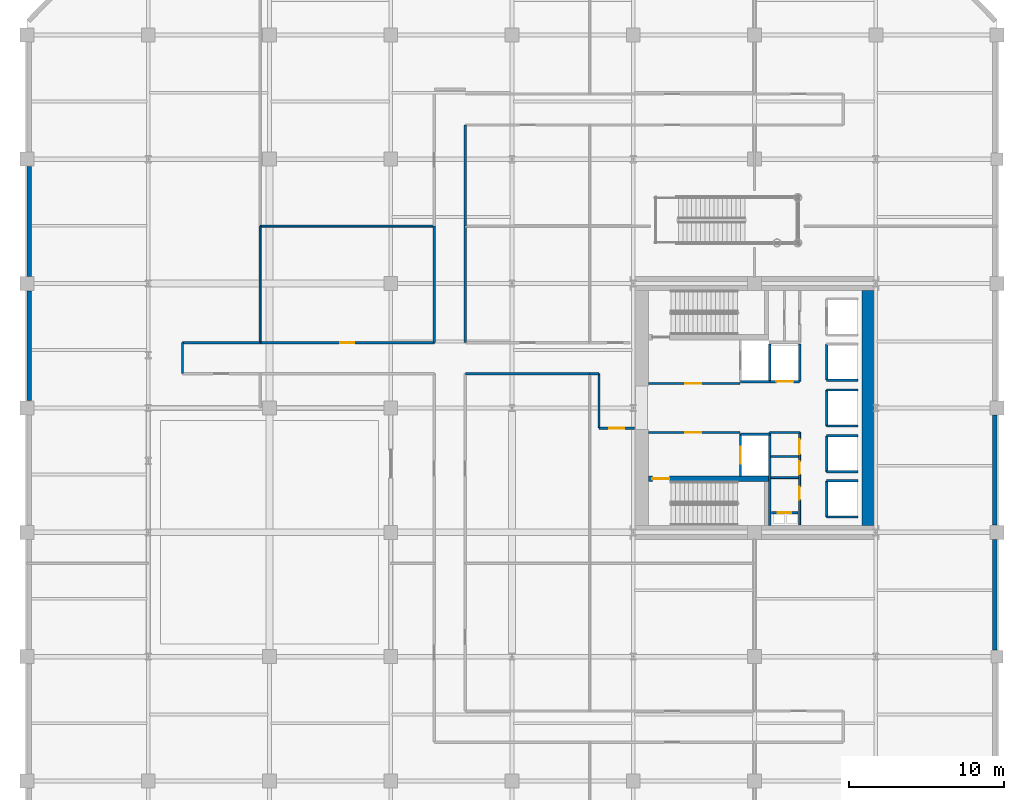
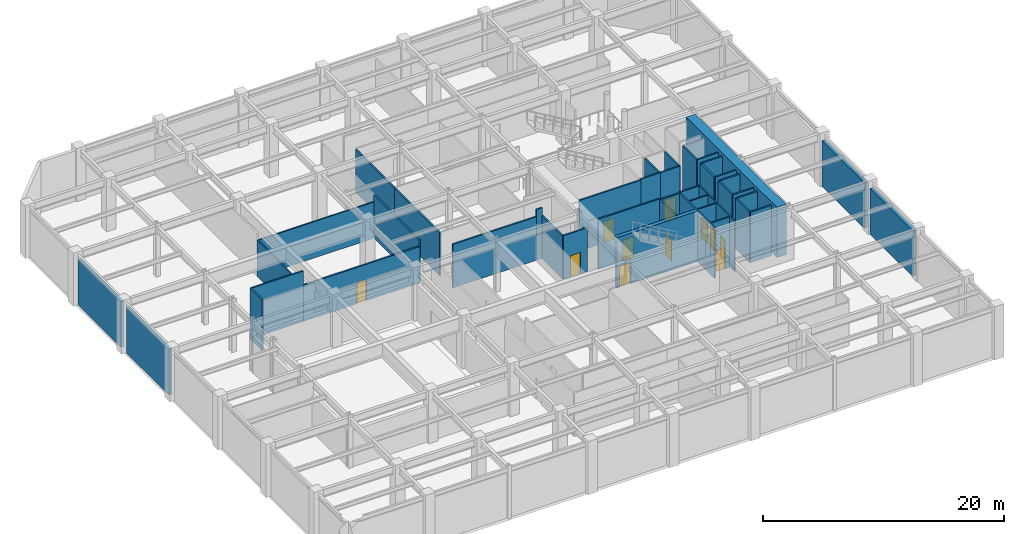
# One storey, part 8 of 11: 43 walls, 11 doors, 11 openings.
"""IFC4 building model written with IfcOpenShell, lengths in metres."""

from ifc_helpers import new_model, si_unit, direction, frame, frame_2d, origin, place, context, subcontext, project, spatial, rectangle, extrude, material, layer, layer_set, type_object, element, fill, save


model = new_model("IFC4")

# Units and contexts
model_context = context("Model", 3, precision=1e-05, world=origin(), true_north=direction((0.0, 1.0)))
body_context = subcontext(model_context, "Body", "Model", "MODEL_VIEW")
ifc_project = project(units=[si_unit("LENGTHUNIT", "METRE"), si_unit("AREAUNIT", "SQUARE_METRE"), si_unit("VOLUMEUNIT", "CUBIC_METRE"), si_unit("PLANEANGLEUNIT", "RADIAN"), si_unit("MASSUNIT", "GRAM", prefix="KILO")], contexts=[model_context])

# Site, building, storey
site_placement = place(None, origin())
site = spatial("IfcSite", under=ifc_project, at=site_placement, CompositionType="ELEMENT")
building_placement = place(site_placement, origin())
building = spatial("IfcBuilding", under=site, at=building_placement, Name="Veymaron Broadcast Tower", CompositionType="ELEMENT")
storey_placement = place(building_placement, frame((0.0, 0.0, 16.199951171875)))
storey = spatial("IfcBuildingStorey", under=building, at=storey_placement, Name="L03", CompositionType="ELEMENT", Elevation=16.199951171875)

# Walls
ifc_material_1 = material(Name="Precast concrete C40/50 with mineral-wool insulation", Category="concrete")
ifc_layer_1 = layer(ifc_material_1, 0.300048828125)
ifc_layer_set_1 = layer_set([ifc_layer_1], Name="Precast concrete C40/50 with mineral-wool insulation")
wall_type_1 = type_object("IfcWallType", Name="WALL-EXT-300", PredefinedType="STANDARD", material=ifc_layer_set_1)
wall_1_placement = place(storey_placement, frame((62.260009765625, 8.41796875, 0.0), z_axis=(0.0, 0.0, 1.0), x_axis=(0.0, 1.0, 0.0)))
element("IfcWall", 1, at=wall_1_placement, inside=storey, type_object=wall_type_1, Name="L03 notched corner facade pier 2-3", PredefinedType="STANDARD", context=body_context, shape_type="SweptSolid", body=[
    extrude(rectangle(XDim=7.114013671875, YDim=0.300048828125, at=frame_2d((3.55712890625, 0.0))), origin(), (0.0, 0.0, 1.0), 4.64794921875),
])
for number, where, z_axis, x_axis, name in (
    (2, (62.260009765625, 16.468017578125, 0.0), (0.0, 0.0, 1.0), (0.0, 1.0, 0.0), "L03 notched corner facade pier 2-4"),
    (3, (0.139892578125, 39.531982421875, 0.0), (0.0, 0.0, 1.0), (0.0, -1.0, 0.0), "L03 notched corner facade pier 6-2"),
    (4, (0.139892578125, 31.531982421875, 0.0), (0.0, 0.0, 1.0), (0.0, -1.0, 0.0), "L03 notched corner facade pier 6-3"),
):
    element("IfcWall", number, at=place(storey_placement, frame(where, z_axis=z_axis, x_axis=x_axis)), inside=storey, type_object=wall_type_1, Name=name, PredefinedType="STANDARD", context=body_context, shape_type="SweptSolid", body=[
        extrude(rectangle(XDim=7.06396484375, YDim=0.300048828125, at=frame_2d((3.531982421875, 0.0))), origin(), (0.0, 0.0, 1.0), 4.64794921875),
    ])

# Wall, opening, door
ifc_material_2 = material(Name="Gypsum fireboard and steel stud framing", Category="steel")
ifc_layer_2 = layer(ifc_material_2, 0.14990234375)
ifc_layer_set_2 = layer_set([ifc_layer_2], Name="Gypsum fireboard and steel stud framing")
wall_type_2 = type_object("IfcWallType", Name="WALL-FIRE-150", PredefinedType="PARTITIONING", material=ifc_layer_set_2)
wall_2_placement = place(storey_placement, frame((39.97998046875, 25.574951171875, 0.0), z_axis=(0.0, 0.0, 1.0), x_axis=(1.0, 0.0, 0.0)))
wall_2 = element("IfcWall", 5, at=wall_2_placement, inside=storey, type_object=wall_type_2, Name="L03 partition IW-L03-FFLN-S", PredefinedType="PARTITIONING", context=body_context, shape_type="SweptSolid", body=[
    extrude(rectangle(XDim=5.89990234375, YDim=0.14990234375, at=frame_2d((2.949951171875, 0.0))), origin(), (0.0, 0.0, 1.0), 5.1201171875),
])
opening_1_placement = place(wall_2_placement, frame((2.35009765625, 0.0, 0.0)))
opening_1 = element("IfcOpeningElement", 6, at=opening_1_placement, cuts=wall_2, Name="Opening ID-FL1", PredefinedType="OPENING", context=body_context, shape_type="SweptSolid", body=[
    extrude(rectangle(XDim=1.050048828125, YDim=2.14990234375, at=frame_2d((0.52490234375, 1.074951171875))), frame((0.0, 0.0849609375, 0.0), z_axis=(0.0, -1.0, 0.0), x_axis=(1.0, 0.0, 0.0)), (0.0, 0.0, 1.0), 0.169921875),
])
ifc_material_3 = material(Name="Fire-rated painted hollow steel ASTM A653", Category="steel")
door_type_1 = type_object("IfcDoorType", Name="DOOR-FIRE-1050", OperationType="NOTDEFINED", PredefinedType="DOOR", material=ifc_material_3)
door_1_placement = place(opening_1_placement, origin())
door_1 = element("IfcDoor", 7, at=door_1_placement, inside=storey, type_object=door_type_1, Name="L03 door DR-L03-FFLN", OperationType="SINGLE_SWING_LEFT", OverallHeight=2.14990234375, OverallWidth=1.050048828125, PredefinedType="DOOR", context=body_context, shape_type="SweptSolid", body=[
    extrude(rectangle(XDim=1.050048828125, YDim=2.14990234375, at=frame_2d((0.52490234375, 1.074951171875))), frame((0.0, 0.02490234375, 0.0), z_axis=(0.0, -1.0, 0.0), x_axis=(1.0, 0.0, 0.0)), (0.0, 0.0, 1.0), 0.050048828125),
])
fill(opening_1, door_1)

wall_3_placement = place(storey_placement, frame((39.97998046875, 22.425048828125, 0.0), z_axis=(0.0, 0.0, 1.0), x_axis=(1.0, 0.0, 0.0)))
wall_3 = element("IfcWall", 8, at=wall_3_placement, inside=storey, type_object=wall_type_2, Name="L03 partition IW-L03-FFLS-N", PredefinedType="PARTITIONING", context=body_context, shape_type="SweptSolid", body=[
    extrude(rectangle(XDim=5.89990234375, YDim=0.14990234375, at=frame_2d((2.949951171875, 0.0))), origin(), (0.0, 0.0, 1.0), 5.1201171875),
])
opening_2_placement = place(wall_3_placement, frame((2.35009765625, 0.0, 0.0)))
opening_2 = element("IfcOpeningElement", 9, at=opening_2_placement, cuts=wall_3, Name="Opening ID-FL1", PredefinedType="OPENING", context=body_context, shape_type="SweptSolid", body=[
    extrude(rectangle(XDim=1.050048828125, YDim=2.14990234375, at=frame_2d((0.52490234375, 1.074951171875))), frame((0.0, 0.0849609375, 0.0), z_axis=(0.0, -1.0, 0.0), x_axis=(1.0, 0.0, 0.0)), (0.0, 0.0, 1.0), 0.169921875),
])
door_2_placement = place(opening_2_placement, frame((1.050048828125, 0.0, 0.0), z_axis=(0.0, 0.0, 1.0), x_axis=(-1.0, 0.0, 0.0)))
door_2 = element("IfcDoor", 10, at=door_2_placement, inside=storey, type_object=door_type_1, Name="L03 door DR-L03-FFLS", OperationType="SINGLE_SWING_RIGHT", OverallHeight=2.14990234375, OverallWidth=1.050048828125, PredefinedType="DOOR", context=body_context, shape_type="SweptSolid", body=[
    extrude(rectangle(XDim=1.050048828125, YDim=2.14990234375, at=frame_2d((0.52490234375, 1.074951171875))), frame((0.0, 0.02490234375, 0.0), z_axis=(0.0, -1.0, 0.0), x_axis=(1.0, 0.0, 0.0)), (0.0, 0.0, 1.0), 0.050048828125),
])
fill(opening_2, door_2)

# Wall
wall_4_placement = place(storey_placement, frame((45.89501953125, 25.68994140625, 0.0), z_axis=(0.0, 0.0, 1.0), x_axis=(1.0, 0.0, 0.0)))
element("IfcWall", 11, at=wall_4_placement, inside=storey, type_object=wall_type_2, Name="L03 partition IW-L03-SHS-FFL-1", PredefinedType="PARTITIONING", context=body_context, shape_type="SweptSolid", body=[
    extrude(rectangle(XDim=1.9150390625, YDim=0.14990234375, at=frame_2d((0.95751953125, 0.0))), origin(), (0.0, 0.0, 1.0), 5.1201171875),
])

# Wall, opening, door
wall_5_placement = place(storey_placement, frame((45.89501953125, 19.590087890625, 0.0), z_axis=(0.0, 0.0, 1.0), x_axis=(0.0, 1.0, 0.0)))
wall_5 = element("IfcWall", 12, at=wall_5_placement, inside=storey, type_object=wall_type_2, Name="L03 partition IW-L03-SHW-FFL-2", PredefinedType="PARTITIONING", context=body_context, shape_type="SweptSolid", body=[
    extrude(rectangle(XDim=2.719970703125, YDim=0.14990234375, at=frame_2d((1.35986328125, 0.0))), origin(), (0.0, 0.0, 1.0), 5.1201171875),
])
opening_3_placement = place(wall_5_placement, frame((0.81005859375, 0.0, 0.0)))
opening_3 = element("IfcOpeningElement", 13, at=opening_3_placement, cuts=wall_5, Name="Opening LD", PredefinedType="OPENING", context=body_context, shape_type="SweptSolid", body=[
    extrude(rectangle(XDim=1.10009765625, YDim=2.14990234375, at=frame_2d((0.550048828125, 1.074951171875))), frame((0.0, 0.0849609375, 0.0), z_axis=(0.0, -1.0, 0.0), x_axis=(1.0, 0.0, 0.0)), (0.0, 0.0, 1.0), 0.169921875),
])
ifc_material_4 = material(Name="Brushed stainless steel AISI 304", Category="steel")
door_type_2 = type_object("IfcDoorType", Name="DOOR-LIFT-1100", OperationType="DOUBLE_DOOR_SLIDING", PredefinedType="DOOR", material=ifc_material_4)
door_3_placement = place(opening_3_placement, frame((1.10009765625, 0.0, 0.0), z_axis=(0.0, 0.0, 1.0), x_axis=(-1.0, 0.0, 0.0)))
door_3 = element("IfcDoor", 14, at=door_3_placement, inside=storey, type_object=door_type_2, Name="L03 door LD-L03-FFL-2", OperationType="DOUBLE_DOOR_SLIDING", OverallHeight=2.14990234375, OverallWidth=1.10009765625, PredefinedType="DOOR", context=body_context, shape_type="SweptSolid", body=[
    extrude(rectangle(XDim=1.10009765625, YDim=2.14990234375, at=frame_2d((0.550048828125, 1.074951171875))), frame((0.0, 0.02490234375, 0.0), z_axis=(0.0, -1.0, 0.0), x_axis=(1.0, 0.0, 0.0)), (0.0, 0.0, 1.0), 0.050048828125),
])
fill(opening_3, door_3)

# Wall
wall_6_placement = place(storey_placement, frame((45.89501953125, 22.31005859375, 0.0), z_axis=(0.0, 0.0, 1.0), x_axis=(1.0, 0.0, 0.0)))
element("IfcWall", 15, at=wall_6_placement, inside=storey, type_object=wall_type_2, Name="L03 partition IW-L03-SHN-FFL-2", PredefinedType="PARTITIONING", context=body_context, shape_type="SweptSolid", body=[
    extrude(rectangle(XDim=1.9150390625, YDim=0.14990234375, at=frame_2d((0.95751953125, 0.0))), origin(), (0.0, 0.0, 1.0), 5.1201171875),
])

# Wall, opening, door
wall_7_placement = place(storey_placement, frame((47.7900390625, 25.695068359375, 0.0), z_axis=(0.0, 0.0, 1.0), x_axis=(1.0, 0.0, 0.0)))
wall_7 = element("IfcWall", 16, at=wall_7_placement, inside=storey, type_object=wall_type_2, Name="L03 partition IW-L03-SHS-SL-1", PredefinedType="PARTITIONING", context=body_context, shape_type="SweptSolid", body=[
    extrude(rectangle(XDim=1.919921875, YDim=0.14990234375, at=frame_2d((0.9599609375, 0.0))), origin(), (0.0, 0.0, 1.0), 5.1201171875),
])
opening_4_placement = place(wall_7_placement, frame((0.409912109375, 0.0, 0.0)))
opening_4 = element("IfcOpeningElement", 17, at=opening_4_placement, cuts=wall_7, Name="Opening LD", PredefinedType="OPENING", context=body_context, shape_type="SweptSolid", body=[
    extrude(rectangle(XDim=1.10009765625, YDim=2.14990234375, at=frame_2d((0.550048828125, 1.074951171875))), frame((0.0, 0.0849609375, 0.0), z_axis=(0.0, -1.0, 0.0), x_axis=(1.0, 0.0, 0.0)), (0.0, 0.0, 1.0), 0.169921875),
])
door_4_placement = place(opening_4_placement, frame((1.10009765625, 0.0, 0.0), z_axis=(0.0, 0.0, 1.0), x_axis=(-1.0, 0.0, 0.0)))
door_4 = element("IfcDoor", 18, at=door_4_placement, inside=storey, type_object=door_type_2, Name="L03 door LD-L03-SL-1", OperationType="DOUBLE_DOOR_SLIDING", OverallHeight=2.14990234375, OverallWidth=1.10009765625, PredefinedType="DOOR", context=body_context, shape_type="SweptSolid", body=[
    extrude(rectangle(XDim=1.10009765625, YDim=2.14990234375, at=frame_2d((0.550048828125, 1.074951171875))), frame((0.0, 0.02490234375, 0.0), z_axis=(0.0, -1.0, 0.0), x_axis=(1.0, 0.0, 0.0)), (0.0, 0.0, 1.0), 0.050048828125),
])
fill(opening_4, door_4)

# Walls
for number, where, z_axis, x_axis, name in (
    (19, (47.7900390625, 25.695068359375, 0.0), (0.0, 0.0, 1.0), (0.0, 1.0, 0.0), "L03 partition IW-L03-SHW-SL-1"),
    (20, (49.7099609375, 25.695068359375, 0.0), (0.0, 0.0, 1.0), (0.0, 1.0, 0.0), "L03 partition IW-L03-SHE-SL-1"),
):
    element("IfcWall", number, at=place(storey_placement, frame(where, z_axis=z_axis, x_axis=x_axis)), inside=storey, type_object=wall_type_2, Name=name, PredefinedType="PARTITIONING", context=body_context, shape_type="SweptSolid", body=[
        extrude(rectangle(XDim=2.4150390625, YDim=0.14990234375, at=frame_2d((1.20751953125, 0.0))), origin(), (0.0, 0.0, 1.0), 5.1201171875),
    ])
wall_8_placement = place(storey_placement, frame((51.445068359375, 25.7900390625, 0.0), z_axis=(0.0, 0.0, 1.0), x_axis=(0.0, 1.0, 0.0)))
element("IfcWall", 21, at=wall_8_placement, inside=storey, type_object=wall_type_2, Name="L03 partition IW-L03-SHW-PM1", PredefinedType="PARTITIONING", context=body_context, shape_type="SweptSolid", body=[
    extrude(rectangle(XDim=2.320068359375, YDim=0.14990234375, at=frame_2d((1.16015625, 0.0))), origin(), (0.0, 0.0, 1.0), 5.1201171875),
])
wall_9_placement = place(storey_placement, frame((51.445068359375, 25.7900390625, 0.0), z_axis=(0.0, 0.0, 1.0), x_axis=(1.0, 0.0, 0.0)))
element("IfcWall", 22, at=wall_9_placement, inside=storey, type_object=wall_type_2, Name="L03 partition IW-L03-SHS-PM1", PredefinedType="PARTITIONING", context=body_context, shape_type="SweptSolid", body=[
    extrude(rectangle(XDim=2.014892578125, YDim=0.14990234375, at=frame_2d((1.00732421875, 0.0))), origin(), (0.0, 0.0, 1.0), 5.1201171875),
])
wall_10_placement = place(storey_placement, frame((51.445068359375, 19.889892578125, 0.0), z_axis=(0.0, 0.0, 1.0), x_axis=(0.0, 1.0, 0.0)))
element("IfcWall", 23, at=wall_10_placement, inside=storey, type_object=wall_type_2, Name="L03 partition IW-L03-SHW-PM2", PredefinedType="PARTITIONING", context=body_context, shape_type="SweptSolid", body=[
    extrude(rectangle(XDim=2.320068359375, YDim=0.14990234375, at=frame_2d((1.16015625, 0.0))), origin(), (0.0, 0.0, 1.0), 5.1201171875),
])
for number, where, z_axis, x_axis, name in (
    (24, (51.445068359375, 19.889892578125, 0.0), (0.0, 0.0, 1.0), (1.0, 0.0, 0.0), "L03 partition IW-L03-SHS-PM2"),
    (25, (51.445068359375, 22.2099609375, 0.0), (0.0, 0.0, 1.0), (1.0, 0.0, 0.0), "L03 partition IW-L03-SHN-PM2"),
):
    element("IfcWall", number, at=place(storey_placement, frame(where, z_axis=z_axis, x_axis=x_axis)), inside=storey, type_object=wall_type_2, Name=name, PredefinedType="PARTITIONING", context=body_context, shape_type="SweptSolid", body=[
        extrude(rectangle(XDim=2.014892578125, YDim=0.14990234375, at=frame_2d((1.00732421875, 0.0))), origin(), (0.0, 0.0, 1.0), 5.1201171875),
    ])
wall_11_placement = place(storey_placement, frame((51.445068359375, 22.840087890625, 0.0), z_axis=(0.0, 0.0, 1.0), x_axis=(0.0, 1.0, 0.0)))
element("IfcWall", 26, at=wall_11_placement, inside=storey, type_object=wall_type_2, Name="L03 partition IW-L03-SHW-PM3", PredefinedType="PARTITIONING", context=body_context, shape_type="SweptSolid", body=[
    extrude(rectangle(XDim=2.31982421875, YDim=0.14990234375, at=frame_2d((1.159912109375, 0.0))), origin(), (0.0, 0.0, 1.0), 5.1201171875),
])
for number, where, z_axis, x_axis, name in (
    (27, (51.445068359375, 22.840087890625, 0.0), (0.0, 0.0, 1.0), (1.0, 0.0, 0.0), "L03 partition IW-L03-SHS-PM3"),
    (28, (51.445068359375, 25.159912109375, 0.0), (0.0, 0.0, 1.0), (1.0, 0.0, 0.0), "L03 partition IW-L03-SHN-PM3"),
):
    element("IfcWall", number, at=place(storey_placement, frame(where, z_axis=z_axis, x_axis=x_axis)), inside=storey, type_object=wall_type_2, Name=name, PredefinedType="PARTITIONING", context=body_context, shape_type="SweptSolid", body=[
        extrude(rectangle(XDim=2.014892578125, YDim=0.14990234375, at=frame_2d((1.00732421875, 0.0))), origin(), (0.0, 0.0, 1.0), 5.1201171875),
    ])
wall_12_placement = place(storey_placement, frame((51.445068359375, 16.989990234375, 0.0), z_axis=(0.0, 0.0, 1.0), x_axis=(0.0, 1.0, 0.0)))
element("IfcWall", 29, at=wall_12_placement, inside=storey, type_object=wall_type_2, Name="L03 partition IW-L03-SHW-PH1", PredefinedType="PARTITIONING", context=body_context, shape_type="SweptSolid", body=[
    extrude(rectangle(XDim=2.320068359375, YDim=0.14990234375, at=frame_2d((1.16015625, 0.0))), origin(), (0.0, 0.0, 1.0), 5.1201171875),
])
for number, where, z_axis, x_axis, name in (
    (30, (51.445068359375, 16.989990234375, 0.0), (0.0, 0.0, 1.0), (1.0, 0.0, 0.0), "L03 partition IW-L03-SHS-PH1"),
    (31, (51.445068359375, 19.31005859375, 0.0), (0.0, 0.0, 1.0), (1.0, 0.0, 0.0), "L03 partition IW-L03-SHN-PH1"),
):
    element("IfcWall", number, at=place(storey_placement, frame(where, z_axis=z_axis, x_axis=x_axis)), inside=storey, type_object=wall_type_2, Name=name, PredefinedType="PARTITIONING", context=body_context, shape_type="SweptSolid", body=[
        extrude(rectangle(XDim=2.014892578125, YDim=0.14990234375, at=frame_2d((1.00732421875, 0.0))), origin(), (0.0, 0.0, 1.0), 5.1201171875),
    ])

# Wall, opening, door
wall_13_placement = place(storey_placement, frame((47.8798828125, 17.260009765625, 0.0), z_axis=(0.0, 0.0, 1.0), x_axis=(1.0, 0.0, 0.0)))
wall_13 = element("IfcWall", 32, at=wall_13_placement, inside=storey, type_object=wall_type_2, Name="L03 partition IW-L03-RIS-N", PredefinedType="PARTITIONING", context=body_context, shape_type="SweptSolid", body=[
    extrude(rectangle(XDim=1.72021484375, YDim=0.14990234375, at=frame_2d((0.860107421875, 0.0))), origin(), (0.0, 0.0, 1.0), 5.1201171875),
])
opening_5_placement = place(wall_13_placement, frame((0.419921875, 0.0, 0.0)))
opening_5 = element("IfcOpeningElement", 33, at=opening_5_placement, cuts=wall_13, Name="Opening ID-RS1", PredefinedType="OPENING", context=body_context, shape_type="SweptSolid", body=[
    extrude(rectangle(XDim=0.85009765625, YDim=2.14990234375, at=frame_2d((0.425048828125, 1.074951171875))), frame((0.0, 0.0849609375, 0.0), z_axis=(0.0, -1.0, 0.0), x_axis=(1.0, 0.0, 0.0)), (0.0, 0.0, 1.0), 0.169921875),
])
ifc_material_5 = material(Name="Fire-rated powder-coated steel riser leaf", Category="steel")
door_type_3 = type_object("IfcDoorType", Name="DOOR-RIS-850", OperationType="NOTDEFINED", PredefinedType="TRAPDOOR", material=ifc_material_5)
door_5_placement = place(opening_5_placement, origin())
door_5 = element("IfcDoor", 34, at=door_5_placement, inside=storey, type_object=door_type_3, Name="L03 door DR-L03-RIS", OperationType="SINGLE_SWING_LEFT", OverallHeight=2.14990234375, OverallWidth=0.85009765625, PredefinedType="TRAPDOOR", context=body_context, shape_type="SweptSolid", body=[
    extrude(rectangle(XDim=0.85009765625, YDim=2.14990234375, at=frame_2d((0.425048828125, 1.074951171875))), frame((0.0, 0.02490234375, 0.0), z_axis=(0.0, -1.0, 0.0), x_axis=(1.0, 0.0, 0.0)), (0.0, 0.0, 1.0), 0.050048828125),
])
fill(opening_5, door_5)

# Walls
wall_14_placement = place(storey_placement, frame((47.760009765625, 22.425048828125, 0.0), z_axis=(0.0, 0.0, 1.0), x_axis=(1.0, 0.0, 0.0)))
element("IfcWall", 35, at=wall_14_placement, inside=storey, type_object=wall_type_2, Name="L03 partition IW-L03-SM-N", PredefinedType="PARTITIONING", context=body_context, shape_type="SweptSolid", body=[
    extrude(rectangle(XDim=1.9599609375, YDim=0.14990234375, at=frame_2d((0.97998046875, 0.0))), origin(), (0.0, 0.0, 1.0), 5.1201171875),
])
wall_15_placement = place(storey_placement, frame((47.780029296875, 16.449951171875, 0.0), z_axis=(0.0, 0.0, 1.0), x_axis=(0.0, 1.0, 0.0)))
element("IfcWall", 36, at=wall_15_placement, inside=storey, type_object=wall_type_2, Name="L03 partition IW-L03-SM-W", PredefinedType="PARTITIONING", context=body_context, shape_type="SweptSolid", body=[
    extrude(rectangle(XDim=5.97509765625, YDim=0.14990234375, at=frame_2d((2.987548828125, 0.0))), origin(), (0.0, 0.0, 1.0), 5.1201171875),
])

# Wall, opening, door
wall_16_placement = place(storey_placement, frame((36.800048828125, 22.699951171875, 0.0), z_axis=(0.0, 0.0, 1.0), x_axis=(1.0, 0.0, 0.0)))
wall_16 = element("IfcWall", 37, at=wall_16_placement, inside=storey, type_object=wall_type_2, Name="L03 partition IW-L03-P11", PredefinedType="PARTITIONING", context=body_context, shape_type="SweptSolid", body=[
    extrude(rectangle(XDim=2.280029296875, YDim=0.14990234375, at=frame_2d((1.14013671875, 0.0))), origin(), (0.0, 0.0, 1.0), 4.4150390625),
])
opening_6_placement = place(wall_16_placement, frame((0.6650390625, 0.0, 0.0)))
opening_6 = element("IfcOpeningElement", 38, at=opening_6_placement, cuts=wall_16, Name="Opening ID-RM1", PredefinedType="OPENING", context=body_context, shape_type="SweptSolid", body=[
    extrude(rectangle(XDim=0.949951171875, YDim=2.14990234375, at=frame_2d((0.47509765625, 1.074951171875))), frame((0.0, 0.0849609375, 0.0), z_axis=(0.0, -1.0, 0.0), x_axis=(1.0, 0.0, 0.0)), (0.0, 0.0, 1.0), 0.169921875),
])
ifc_material_6 = material(Name="Acoustic solid-core European oak veneer timber", Category="wood")
door_type_4 = type_object("IfcDoorType", Name="DOOR-INT-950", OperationType="NOTDEFINED", PredefinedType="DOOR", material=ifc_material_6)
door_6_placement = place(opening_6_placement, frame((0.949951171875, 0.0, 0.0), z_axis=(0.0, 0.0, 1.0), x_axis=(-1.0, 0.0, 0.0)))
door_6 = element("IfcDoor", 39, at=door_6_placement, inside=storey, type_object=door_type_4, Name="L03 door DR-L03-P11", OperationType="SINGLE_SWING_RIGHT", OverallHeight=2.14990234375, OverallWidth=0.949951171875, PredefinedType="DOOR", context=body_context, shape_type="SweptSolid", body=[
    extrude(rectangle(XDim=0.949951171875, YDim=2.14990234375, at=frame_2d((0.47509765625, 1.074951171875))), frame((0.0, 0.02490234375, 0.0), z_axis=(0.0, -1.0, 0.0), x_axis=(1.0, 0.0, 0.0)), (0.0, 0.0, 1.0), 0.050048828125),
])
fill(opening_6, door_6)

wall_17_placement = place(storey_placement, frame((15.0, 28.199951171875, 0.0), z_axis=(0.0, 0.0, 1.0), x_axis=(1.0, 0.0, 0.0)))
wall_17 = element("IfcWall", 40, at=wall_17_placement, inside=storey, type_object=wall_type_2, Name="L03 partition IW-L03-P17", PredefinedType="PARTITIONING", context=body_context, shape_type="SweptSolid", body=[
    extrude(rectangle(XDim=11.199951171875, YDim=0.14990234375, at=frame_2d((5.60009765625, 0.0))), origin(), (0.0, 0.0, 1.0), 3.68798828125),
])
opening_7_placement = place(wall_17_placement, frame((5.14990234375, 0.0, 0.0)))
opening_7 = element("IfcOpeningElement", 41, at=opening_7_placement, cuts=wall_17, Name="Opening ID-RM2", PredefinedType="OPENING", context=body_context, shape_type="SweptSolid", body=[
    extrude(rectangle(XDim=0.89990234375, YDim=2.14990234375, at=frame_2d((0.449951171875, 1.074951171875))), frame((0.0, 0.0849609375, 0.0), z_axis=(0.0, -1.0, 0.0), x_axis=(1.0, 0.0, 0.0)), (0.0, 0.0, 1.0), 0.169921875),
])
door_type_5 = type_object("IfcDoorType", Name="DOOR-INT-900", OperationType="NOTDEFINED", PredefinedType="DOOR", material=ifc_material_6)
door_7_placement = place(opening_7_placement, origin())
door_7 = element("IfcDoor", 42, at=door_7_placement, inside=storey, type_object=door_type_5, Name="L03 door DR-L03-P17", OperationType="SINGLE_SWING_RIGHT", OverallHeight=2.14990234375, OverallWidth=0.89990234375, PredefinedType="DOOR", context=body_context, shape_type="SweptSolid", body=[
    extrude(rectangle(XDim=0.89990234375, YDim=2.14990234375, at=frame_2d((0.449951171875, 1.074951171875))), frame((0.0, 0.02490234375, 0.0), z_axis=(0.0, -1.0, 0.0), x_axis=(1.0, 0.0, 0.0)), (0.0, 0.0, 1.0), 0.050048828125),
])
fill(opening_7, door_7)

# Walls
wall_18_placement = place(storey_placement, frame((36.800048828125, 22.699951171875, 0.0), z_axis=(0.0, 0.0, 1.0), x_axis=(0.0, 1.0, 0.0)))
element("IfcWall", 43, at=wall_18_placement, inside=storey, type_object=wall_type_2, Name="L03 partition IW-L03-P10", PredefinedType="PARTITIONING", context=body_context, shape_type="SweptSolid", body=[
    extrude(rectangle(XDim=3.5, YDim=0.14990234375, at=frame_2d((1.75, 0.0))), origin(), (0.0, 0.0, 1.0), 4.338134765625),
])
wall_19_placement = place(storey_placement, frame((36.199951171875, 26.199951171875, 0.0), z_axis=(0.0, 0.0, 1.0), x_axis=(1.0, 0.0, 0.0)))
element("IfcWall", 44, at=wall_19_placement, inside=storey, type_object=wall_type_2, Name="L03 partition IW-L03-P12", PredefinedType="PARTITIONING", context=body_context, shape_type="SweptSolid", body=[
    extrude(rectangle(XDim=0.60009765625, YDim=0.14990234375, at=frame_2d((0.300048828125, 0.0))), origin(), (0.0, 0.0, 1.0), 5.1201171875),
])
wall_20_placement = place(storey_placement, frame((28.199951171875, 26.199951171875, 0.0), z_axis=(0.0, 0.0, 1.0), x_axis=(1.0, 0.0, 0.0)))
element("IfcWall", 45, at=wall_20_placement, inside=storey, type_object=wall_type_2, Name="L03 partition IW-L03-P14", PredefinedType="PARTITIONING", context=body_context, shape_type="SweptSolid", body=[
    extrude(rectangle(XDim=8.0, YDim=0.14990234375, at=frame_2d((4.0, 0.0))), origin(), (0.0, 0.0, 1.0), 4.4150390625),
])
for number, where, z_axis, x_axis, name in (
    (46, (26.199951171875, 28.199951171875, 0.0), (0.0, 0.0, 1.0), (0.0, 1.0, 0.0), "L03 partition IW-L03-P18"),
    (47, (28.199951171875, 28.199951171875, 0.0), (0.0, 0.0, 1.0), (0.0, 1.0, 0.0), "L03 partition IW-L03-P20"),
):
    element("IfcWall", number, at=place(storey_placement, frame(where, z_axis=z_axis, x_axis=x_axis)), inside=storey, type_object=wall_type_2, Name=name, PredefinedType="PARTITIONING", context=body_context, shape_type="SweptSolid", body=[
        extrude(rectangle(XDim=7.5, YDim=0.14990234375, at=frame_2d((3.75, 0.0))), origin(), (0.0, 0.0, 1.0), 4.338134765625),
    ])
wall_21_placement = place(storey_placement, frame((10.0, 28.199951171875, 0.0), z_axis=(0.0, 0.0, 1.0), x_axis=(1.0, 0.0, 0.0)))
element("IfcWall", 48, at=wall_21_placement, inside=storey, type_object=wall_type_2, Name="L03 partition IW-L03-P23", PredefinedType="PARTITIONING", context=body_context, shape_type="SweptSolid", body=[
    extrude(rectangle(XDim=5.0, YDim=0.14990234375, at=frame_2d((2.5, 0.0))), origin(), (0.0, 0.0, 1.0), 5.1201171875),
])
wall_22_placement = place(storey_placement, frame((10.0, 26.199951171875, 0.0), z_axis=(0.0, 0.0, 1.0), x_axis=(0.0, 1.0, 0.0)))
element("IfcWall", 49, at=wall_22_placement, inside=storey, type_object=wall_type_2, Name="L03 partition IW-L03-P24", PredefinedType="PARTITIONING", context=body_context, shape_type="SweptSolid", body=[
    extrude(rectangle(XDim=2.0, YDim=0.14990234375, at=frame_2d((1.0, 0.0))), origin(), (0.0, 0.0, 1.0), 5.1201171875),
])
wall_23_placement = place(storey_placement, frame((28.199951171875, 35.699951171875, 0.0), z_axis=(0.0, 0.0, 1.0), x_axis=(0.0, 1.0, 0.0)))
element("IfcWall", 50, at=wall_23_placement, inside=storey, type_object=wall_type_2, Name="L03 partition IW-L03-P26", PredefinedType="PARTITIONING", context=body_context, shape_type="SweptSolid", body=[
    extrude(rectangle(XDim=6.5, YDim=0.14990234375, at=frame_2d((3.25, 0.0))), origin(), (0.0, 0.0, 1.0), 4.338134765625),
])
ifc_material_7 = material(Name="Acoustic gypsum board and galvanized stud", Category="gypsum")
ifc_layer_3 = layer(ifc_material_7, 0.1201171875)
ifc_layer_set_3 = layer_set([ifc_layer_3], Name="Acoustic gypsum board and galvanized stud")
wall_type_3 = type_object("IfcWallType", Name="WALL-PART-120", PredefinedType="PARTITIONING", material=ifc_layer_set_3)
for number, where, z_axis, x_axis, name in (
    (51, (47.860107421875, 19.52001953125, 0.0), (0.0, 0.0, 1.0), (1.0, 0.0, 0.0), "L03 partition IW-L03-SM-D1"),
    (52, (47.860107421875, 20.8798828125, 0.0), (0.0, 0.0, 1.0), (1.0, 0.0, 0.0), "L03 partition IW-L03-SM-D2"),
):
    element("IfcWall", number, at=place(storey_placement, frame(where, z_axis=z_axis, x_axis=x_axis)), inside=storey, type_object=wall_type_3, Name=name, PredefinedType="PARTITIONING", context=body_context, shape_type="SweptSolid", body=[
        extrude(rectangle(XDim=1.760009765625, YDim=0.1201171875, at=frame_2d((0.8798828125, 0.0))), origin(), (0.0, 0.0, 1.0), 5.1201171875),
    ])

# Wall, openings, doors
wall_24_placement = place(storey_placement, frame((49.699951171875, 16.47998046875, 0.0), z_axis=(0.0, 0.0, 1.0), x_axis=(0.0, 1.0, 0.0)))
wall_24 = element("IfcWall", 53, at=wall_24_placement, inside=storey, type_object=wall_type_3, Name="L03 partition IW-L03-SM-E", PredefinedType="PARTITIONING", context=body_context, shape_type="SweptSolid", body=[
    extrude(rectangle(XDim=5.945068359375, YDim=0.1201171875, at=frame_2d((2.97265625, 0.0))), origin(), (0.0, 0.0, 1.0), 5.1201171875),
])
opening_8_placement = place(wall_24_placement, frame((1.60009765625, 0.0, 0.0)))
opening_8 = element("IfcOpeningElement", 54, at=opening_8_placement, cuts=wall_24, Name="Opening ID-WC1", PredefinedType="OPENING", context=body_context, shape_type="SweptSolid", body=[
    extrude(rectangle(XDim=0.85009765625, YDim=2.14990234375, at=frame_2d((0.425048828125, 1.074951171875))), frame((0.0, 0.070068359375, 0.0), z_axis=(0.0, -1.0, 0.0), x_axis=(1.0, 0.0, 0.0)), (0.0, 0.0, 1.0), 0.14013671875),
])
opening_9_placement = place(wall_24_placement, frame((3.25, 0.0, 0.0)))
opening_9 = element("IfcOpeningElement", 55, at=opening_9_placement, cuts=wall_24, Name="Opening ID-WC1", PredefinedType="OPENING", context=body_context, shape_type="SweptSolid", body=[
    extrude(rectangle(XDim=0.85009765625, YDim=2.14990234375, at=frame_2d((0.425048828125, 1.074951171875))), frame((0.0, 0.070068359375, 0.0), z_axis=(0.0, -1.0, 0.0), x_axis=(1.0, 0.0, 0.0)), (0.0, 0.0, 1.0), 0.14013671875),
])
opening_10_placement = place(wall_24_placement, frame((4.550048828125, 0.0, 0.0)))
opening_10 = element("IfcOpeningElement", 56, at=opening_10_placement, cuts=wall_24, Name="Opening ID-RM1", PredefinedType="OPENING", context=body_context, shape_type="SweptSolid", body=[
    extrude(rectangle(XDim=0.949951171875, YDim=2.14990234375, at=frame_2d((0.47509765625, 1.074951171875))), frame((0.0, 0.070068359375, 0.0), z_axis=(0.0, -1.0, 0.0), x_axis=(1.0, 0.0, 0.0)), (0.0, 0.0, 1.0), 0.14013671875),
])
ifc_material_8 = material(Name="Moisture-resistant high-pressure laminate timber", Category="wood")
door_type_6 = type_object("IfcDoorType", Name="DOOR-INT-850", OperationType="NOTDEFINED", PredefinedType="DOOR", material=ifc_material_8)
door_8_placement = place(opening_8_placement, frame((0.85009765625, 0.0, 0.0), z_axis=(0.0, 0.0, 1.0), x_axis=(-1.0, 0.0, 0.0)))
door_8 = element("IfcDoor", 57, at=door_8_placement, inside=storey, type_object=door_type_6, Name="L03 door DR-L03-JST", OperationType="SINGLE_SWING_LEFT", OverallHeight=2.14990234375, OverallWidth=0.85009765625, PredefinedType="DOOR", context=body_context, shape_type="SweptSolid", body=[
    extrude(rectangle(XDim=0.85009765625, YDim=2.14990234375, at=frame_2d((0.425048828125, 1.074951171875))), frame((0.0, 0.02490234375, 0.0), z_axis=(0.0, -1.0, 0.0), x_axis=(1.0, 0.0, 0.0)), (0.0, 0.0, 1.0), 0.050048828125),
])
fill(opening_8, door_8)
door_9_placement = place(opening_9_placement, frame((0.85009765625, 0.0, 0.0), z_axis=(0.0, 0.0, 1.0), x_axis=(-1.0, 0.0, 0.0)))
door_9 = element("IfcDoor", 58, at=door_9_placement, inside=storey, type_object=door_type_6, Name="L03 door DR-L03-SWC", OperationType="SINGLE_SWING_RIGHT", OverallHeight=2.14990234375, OverallWidth=0.85009765625, PredefinedType="DOOR", context=body_context, shape_type="SweptSolid", body=[
    extrude(rectangle(XDim=0.85009765625, YDim=2.14990234375, at=frame_2d((0.425048828125, 1.074951171875))), frame((0.0, 0.02490234375, 0.0), z_axis=(0.0, -1.0, 0.0), x_axis=(1.0, 0.0, 0.0)), (0.0, 0.0, 1.0), 0.050048828125),
])
fill(opening_9, door_9)
door_10_placement = place(opening_10_placement, frame((0.949951171875, 0.0, 0.0), z_axis=(0.0, 0.0, 1.0), x_axis=(-1.0, 0.0, 0.0)))
door_10 = element("IfcDoor", 59, at=door_10_placement, inside=storey, type_object=door_type_4, Name="L03 door DR-L03-AWC", OperationType="SINGLE_SWING_LEFT", OverallHeight=2.14990234375, OverallWidth=0.949951171875, PredefinedType="DOOR", context=body_context, shape_type="SweptSolid", body=[
    extrude(rectangle(XDim=0.949951171875, YDim=2.14990234375, at=frame_2d((0.47509765625, 1.074951171875))), frame((0.0, 0.02490234375, 0.0), z_axis=(0.0, -1.0, 0.0), x_axis=(1.0, 0.0, 0.0)), (0.0, 0.0, 1.0), 0.050048828125),
])
fill(opening_10, door_10)

# Walls
wall_25_placement = place(storey_placement, frame((15.0, 28.199951171875, 0.0), z_axis=(0.0, 0.0, 1.0), x_axis=(0.0, 1.0, 0.0)))
element("IfcWall", 60, at=wall_25_placement, inside=storey, type_object=wall_type_3, Name="L03 partition IW-L03-P48", PredefinedType="PARTITIONING", context=body_context, shape_type="SweptSolid", body=[
    extrude(rectangle(XDim=7.5, YDim=0.1201171875, at=frame_2d((3.75, 0.0))), origin(), (0.0, 0.0, 1.0), 3.68798828125),
])
wall_26_placement = place(storey_placement, frame((15.0, 35.699951171875, 0.0), z_axis=(0.0, 0.0, 1.0), x_axis=(1.0, 0.0, 0.0)))
element("IfcWall", 61, at=wall_26_placement, inside=storey, type_object=wall_type_3, Name="L03 partition IW-L03-P49", PredefinedType="PARTITIONING", context=body_context, shape_type="SweptSolid", body=[
    extrude(rectangle(XDim=11.199951171875, YDim=0.1201171875, at=frame_2d((5.60009765625, 0.0))), origin(), (0.0, 0.0, 1.0), 3.68798828125),
])

# Wall, opening, door
ifc_material_9 = material(Name="Concrete C50/60", Category="concrete")
ifc_layer_4 = layer(ifc_material_9, 0.35009765625)
ifc_layer_set_4 = layer_set([ifc_layer_4], Name="Concrete C50/60")
wall_type_4 = type_object("IfcWallType", Name="WALL-SHEAR-350", PredefinedType="SHEAR", material=ifc_layer_set_4)
wall_27_placement = place(storey_placement, frame((39.97998046875, 19.445068359375, 0.0), z_axis=(0.0, 0.0, 1.0), x_axis=(1.0, 0.0, 0.0)))
wall_27 = element("IfcWall", 62, at=wall_27_placement, inside=storey, type_object=wall_type_4, Name="L03 Core Wall south stair spine", PredefinedType="SHEAR", context=body_context, shape_type="SweptSolid", body=[
    extrude(rectangle(XDim=7.7099609375, YDim=0.35009765625, at=frame_2d((3.85498046875, 0.0))), origin(), (0.0, 0.0, 1.0), 5.1201171875),
])
opening_11_placement = place(wall_27_placement, frame((0.25, 0.0, 0.0)))
opening_11 = element("IfcOpeningElement", 63, at=opening_11_placement, cuts=wall_27, Name="Opening ID-ST1", PredefinedType="OPENING", context=body_context, shape_type="SweptSolid", body=[
    extrude(rectangle(XDim=1.10009765625, YDim=2.14990234375, at=frame_2d((0.550048828125, 1.074951171875))), frame((0.0, 0.18505859375, 0.0), z_axis=(0.0, -1.0, 0.0), x_axis=(1.0, 0.0, 0.0)), (0.0, 0.0, 1.0), 0.3701171875),
])
door_type_7 = type_object("IfcDoorType", Name="DOOR-STAIR-1100", OperationType="NOTDEFINED", PredefinedType="DOOR", material=ifc_material_3)
door_11_placement = place(opening_11_placement, frame((1.10009765625, 0.0, 0.0), z_axis=(0.0, 0.0, 1.0), x_axis=(-1.0, 0.0, 0.0)))
door_11 = element("IfcDoor", 64, at=door_11_placement, inside=storey, type_object=door_type_7, Name="L03 exit stair ST2 fire door", OperationType="SINGLE_SWING_LEFT", OverallHeight=2.14990234375, OverallWidth=1.10009765625, PredefinedType="DOOR", context=body_context, shape_type="SweptSolid", body=[
    extrude(rectangle(XDim=1.10009765625, YDim=2.14990234375, at=frame_2d((0.550048828125, 1.074951171875))), frame((0.0, 0.02490234375, 0.0), z_axis=(0.0, -1.0, 0.0), x_axis=(1.0, 0.0, 0.0)), (0.0, 0.0, 1.0), 0.050048828125),
])
fill(opening_11, door_11)

# Wall
ifc_material_10 = material(Name="Concrete C70/85", Category="concrete")
ifc_layer_5 = layer(ifc_material_10, 0.89990234375)
ifc_layer_set_5 = layer_set([ifc_layer_5], Name="Concrete C70/85")
wall_type_5 = type_object("IfcWallType", Name="WALL-SHEAR-900", PredefinedType="SHEAR", material=ifc_layer_set_5)
wall_28_placement = place(storey_placement, frame((54.14990234375, 16.449951171875, 0.0), z_axis=(0.0, 0.0, 1.0), x_axis=(0.0, 1.0, 0.0)))
element("IfcWall", 65, at=wall_28_placement, inside=storey, type_object=wall_type_5, Name="L03 Core Wall east shear", PredefinedType="SHEAR", context=body_context, shape_type="SweptSolid", body=[
    extrude(rectangle(XDim=15.10009765625, YDim=0.89990234375, at=frame_2d((7.550048828125, 0.0))), origin(), (0.0, 0.0, 1.0), 5.1201171875),
])

save(model, "model.ifc")
